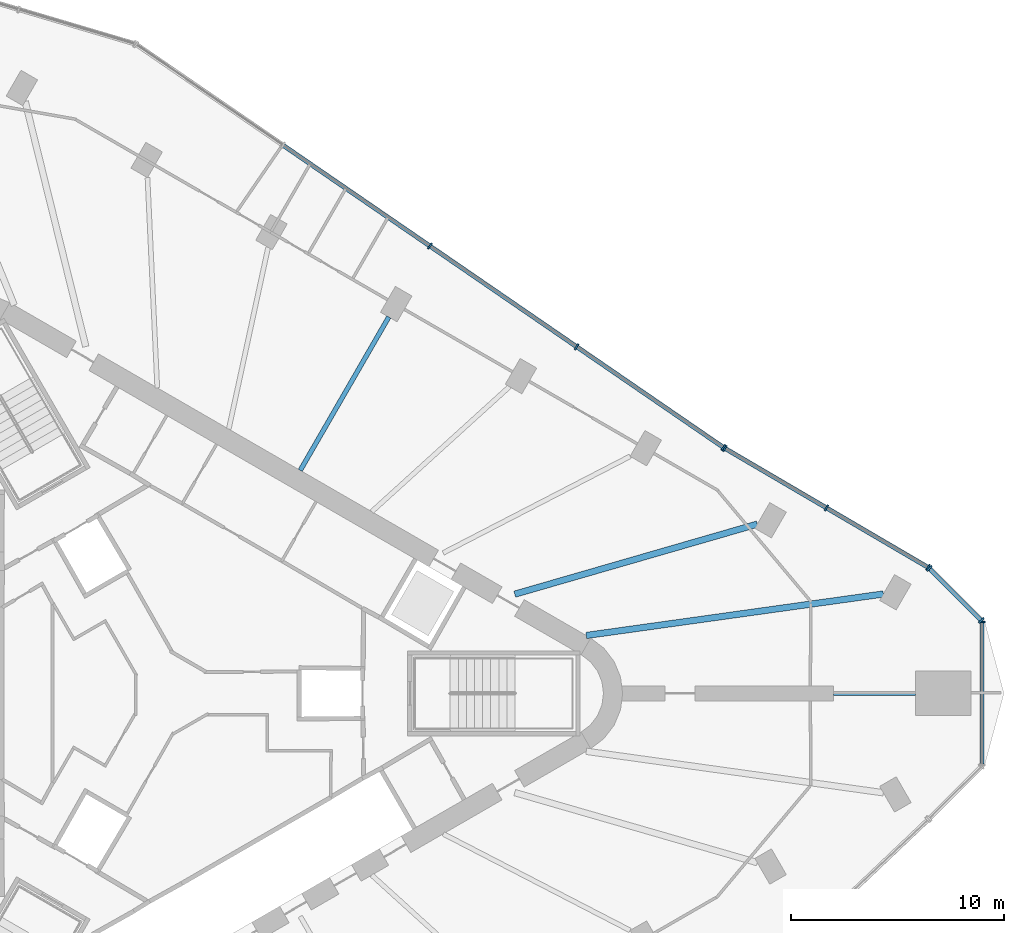
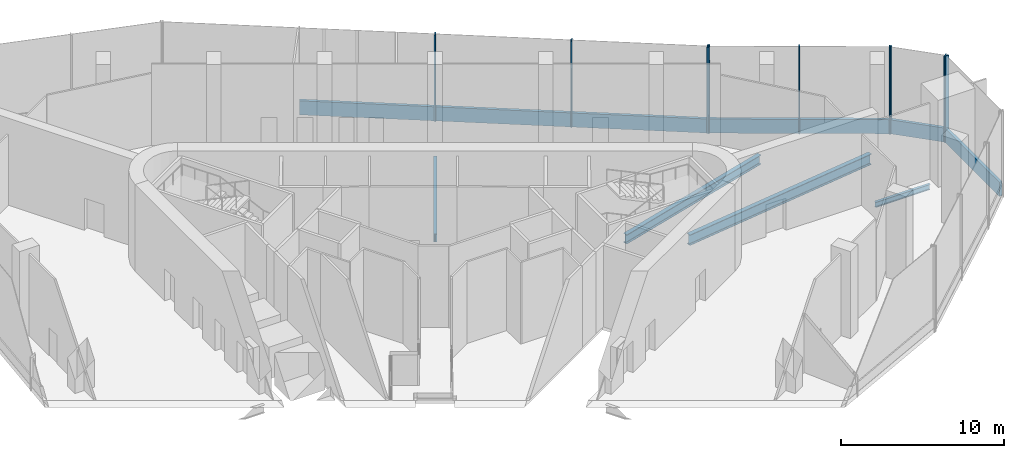
# One storey, part 5 of 15: 16 members, 4 beams, 4 elements without a shape of their own.
"""IFC4 building model written with IfcOpenShell, lengths in metres."""

from ifc_helpers import new_model, si_unit, direction, frame, origin, origin_2d, place, context, subcontext, project, spatial, rectangle, i_section, extrude, material, material_profile, profile_set, type_object, element, aggregate, save


model = new_model("IFC4")

# Units and contexts
model_context = context("Model", 3, precision=1e-05, world=origin(), true_north=direction((0.0, 1.0)))
body_context = subcontext(model_context, "Body", "Model", "MODEL_VIEW")
ifc_project = project(units=[si_unit("LENGTHUNIT", "METRE"), si_unit("AREAUNIT", "SQUARE_METRE"), si_unit("VOLUMEUNIT", "CUBIC_METRE"), si_unit("PLANEANGLEUNIT", "RADIAN"), si_unit("MASSUNIT", "GRAM", prefix="KILO")], contexts=[model_context])

# Site, building, storey
site_placement = place(None, origin())
site = spatial("IfcSite", under=ifc_project, at=site_placement, CompositionType="ELEMENT")
building_placement = place(site_placement, origin())
building = spatial("IfcBuilding", under=site, at=building_placement, Name="Tanit Gate Tower", CompositionType="ELEMENT")
storey_placement = place(building_placement, frame((0.0, 0.0, 277.199951171875)))
storey = spatial("IfcBuildingStorey", under=building, at=storey_placement, Name="L63", CompositionType="ELEMENT", Elevation=277.199951171875)

# Curtain wall, members
ifc_material_1 = material(Name="Aluminium bronze anodised and glass", Category="aluminium")
curtain_wall_type = type_object("IfcCurtainWallType", Name="Curtain wall sky lobby", PredefinedType="NOTDEFINED", material=ifc_material_1)
curtain_wall_1_placement = place(storey_placement, origin())
curtain_wall_1 = element("IfcCurtainWall", 1, at=curtain_wall_1_placement, inside=storey, type_object=curtain_wall_type, Name="Curtain wall L63 NE1", PredefinedType="NOTDEFINED")
ifc_material_2 = material(Name="Aluminium bronze anodised", Category="aluminium")
ifc_material_profile_1 = material_profile(ifc_material_2, rectangle(XDim=0.320068359375, YDim=0.080078125, at=origin_2d()), Name="80x320 bronze mullion")
ifc_profile_set_1 = profile_set([ifc_material_profile_1], Name="Aluminium bronze anodised")
member_type_1 = type_object("IfcMemberType", Name="Mullion 80x320 sky lobby", PredefinedType="MULLION", material=ifc_profile_set_1)
member_1_placement = place(storey_placement, frame((35.550537109375, 5.919677734375, -0.349853515625), z_axis=(0.0, 0.0, 1.0), x_axis=(-0.505509563386, -0.862821001903, 0.0)))
member_1 = element("IfcMember", 2, at=member_1_placement, type_object=member_type_1, Name="Mullion L63 NE1.1", PredefinedType="MULLION", context=body_context, shape_type="SweptSolid", body=[
    extrude(rectangle(XDim=0.320068359375, YDim=0.080078125, at=origin_2d()), origin(), (0.0, 0.0, 1.0), 6.449951171875),
])
member_2_placement = place(storey_placement, frame((30.77783203125, 8.7158203125, -0.349853515625), z_axis=(0.0, 0.0, 1.0), x_axis=(-0.505509563386, -0.862821001903, 0.0)))
member_2 = element("IfcMember", 3, at=member_2_placement, type_object=member_type_1, Name="Mullion L63 NE1.2", PredefinedType="MULLION", context=body_context, shape_type="SweptSolid", body=[
    extrude(rectangle(XDim=0.320068359375, YDim=0.080078125, at=origin_2d()), origin(), (0.0, 0.0, 1.0), 6.449951171875),
])
member_3_placement = place(storey_placement, frame((26.00537109375, 11.511962890625, -0.349853515625), z_axis=(0.0, 0.0, 1.0), x_axis=(-0.505509563386, -0.862821001903, 0.0)))
member_3 = element("IfcMember", 4, at=member_3_placement, type_object=member_type_1, Name="Mullion L63 NE1.3", PredefinedType="MULLION", context=body_context, shape_type="SweptSolid", body=[
    extrude(rectangle(XDim=0.320068359375, YDim=0.080078125, at=origin_2d()), origin(), (0.0, 0.0, 1.0), 6.449951171875),
])

curtain_wall_2_placement = place(storey_placement, origin())
curtain_wall_2 = element("IfcCurtainWall", 5, at=curtain_wall_2_placement, inside=storey, type_object=curtain_wall_type, Name="Curtain wall L63 NE2", PredefinedType="NOTDEFINED")
member_4_placement = place(storey_placement, frame((25.937744140625, 11.5546875, -0.349853515625), z_axis=(0.0, 0.0, 1.0), x_axis=(-0.565779513784, -0.824556572821, 0.0)))
member_4 = element("IfcMember", 6, at=member_4_placement, type_object=member_type_1, Name="Mullion L63 NE2.1", PredefinedType="MULLION", context=body_context, shape_type="SweptSolid", body=[
    extrude(rectangle(XDim=0.320068359375, YDim=0.080078125, at=origin_2d()), origin(), (0.0, 0.0, 1.0), 6.449951171875),
])
member_5_placement = place(storey_placement, frame((19.038818359375, 16.28857421875, -0.349853515625), z_axis=(0.0, 0.0, 1.0), x_axis=(-0.565779513784, -0.824556572821, 0.0)))
member_5 = element("IfcMember", 7, at=member_5_placement, type_object=member_type_1, Name="Mullion L63 NE2.2", PredefinedType="MULLION", context=body_context, shape_type="SweptSolid", body=[
    extrude(rectangle(XDim=0.320068359375, YDim=0.080078125, at=origin_2d()), origin(), (0.0, 0.0, 1.0), 6.449951171875),
])
member_6_placement = place(storey_placement, frame((12.139892578125, 21.0224609375, -0.349853515625), z_axis=(0.0, 0.0, 1.0), x_axis=(-0.565779513784, -0.824556572821, 0.0)))
member_6 = element("IfcMember", 8, at=member_6_placement, type_object=member_type_1, Name="Mullion L63 NE2.3", PredefinedType="MULLION", context=body_context, shape_type="SweptSolid", body=[
    extrude(rectangle(XDim=0.320068359375, YDim=0.080078125, at=origin_2d()), origin(), (0.0, 0.0, 1.0), 6.449951171875),
])

# Curtain wall, member
curtain_wall_3_placement = place(storey_placement, origin())
curtain_wall_3 = element("IfcCurtainWall", 9, at=curtain_wall_3_placement, inside=storey, type_object=curtain_wall_type, Name="Curtain wall L63 E.arc2", PredefinedType="NOTDEFINED")
member_7_placement = place(storey_placement, frame((38.085205078125, 3.359130859375, -0.349853515625), z_axis=(0.0, 0.0, 1.0), x_axis=(-1.0, 0.0, 0.0)))
member_7 = element("IfcMember", 10, at=member_7_placement, type_object=member_type_1, Name="Mullion L63 E.arc2.2", PredefinedType="MULLION", context=body_context, shape_type="SweptSolid", body=[
    extrude(rectangle(XDim=0.320068359375, YDim=0.080078125, at=origin_2d()), origin(), (0.0, 0.0, 1.0), 6.449951171875),
])

# Curtain wall, members
curtain_wall_4_placement = place(storey_placement, origin())
curtain_wall_4 = element("IfcCurtainWall", 11, at=curtain_wall_4_placement, inside=storey, type_object=curtain_wall_type, Name="Curtain wall L63 E.arc3", PredefinedType="NOTDEFINED")
member_8_placement = place(storey_placement, frame((38.056884765625, 3.427490234375, -0.349853515625), z_axis=(0.0, 0.0, 1.0), x_axis=(-0.707106781187, -0.707106781187, 0.0)))
member_8 = element("IfcMember", 12, at=member_8_placement, type_object=member_type_1, Name="Mullion L63 E.arc3.1", PredefinedType="MULLION", context=body_context, shape_type="SweptSolid", body=[
    extrude(rectangle(XDim=0.320068359375, YDim=0.080078125, at=origin_2d()), origin(), (0.0, 0.0, 1.0), 6.449951171875),
])
member_9_placement = place(storey_placement, frame((35.61328125, 5.87109375, -0.349853515625), z_axis=(0.0, 0.0, 1.0), x_axis=(-0.707106781187, -0.707106781187, 0.0)))
member_9 = element("IfcMember", 13, at=member_9_placement, type_object=member_type_1, Name="Mullion L63 E.arc3.2", PredefinedType="MULLION", context=body_context, shape_type="SweptSolid", body=[
    extrude(rectangle(XDim=0.320068359375, YDim=0.080078125, at=origin_2d()), origin(), (0.0, 0.0, 1.0), 6.449951171875),
])

# Beams
ifc_material_3 = material(Name="Steel S355", Category="steel")
ifc_material_profile_2 = material_profile(ifc_material_3, i_section(OverallWidth=0.300048828125, OverallDepth=0.68994140625, WebThickness=0.014404296875, FlangeThickness=0.027099609375, FilletRadius=0.027099609375, at=origin_2d()), Name="HEA 700")
ifc_profile_set_2 = profile_set([ifc_material_profile_2], Name="Steel S355")
beam_type_1 = type_object("IfcBeamType", Name="RADIAL GIRDER HEA 700 S355", PredefinedType="BEAM", material=ifc_profile_set_2)
beam_1_placement = place(storey_placement, frame((27.528564453125, 7.955078125, -0.695068359375), z_axis=(-0.960692598628, -0.277614356511, 0.0), x_axis=(0.277614356511, -0.960692598628, 0.0)))
element("IfcBeam", 14, at=beam_1_placement, inside=storey, type_object=beam_type_1, Name="RADIAL GIRDER", PredefinedType="BEAM", context=body_context, shape_type="SweptSolid", body=[
    extrude(i_section(OverallWidth=0.300048828125, OverallDepth=0.68994140625, WebThickness=0.014404296875, FlangeThickness=0.027099609375, FilletRadius=0.027099609375, at=origin_2d()), origin(), (0.0, 0.0, 1.0), 11.8642578125),
])
ifc_material_4 = material(Name="Steel S355", Category="steel")
ifc_material_profile_3 = material_profile(ifc_material_4, i_section(OverallWidth=0.300048828125, OverallDepth=0.7900390625, WebThickness=0.014892578125, FlangeThickness=0.028076171875, FilletRadius=0.030029296875, at=origin_2d()), Name="HEA 800")
ifc_profile_set_3 = profile_set([ifc_material_profile_3], Name="Steel S355")
beam_type_2 = type_object("IfcBeamType", Name="RADIAL GIRDER HEA 800 S355", PredefinedType="BEAM", material=ifc_profile_set_3)
beam_2_placement = place(storey_placement, frame((33.450927734375, 4.6708984375, -0.744873046875), z_axis=(-0.990390390759, -0.138299941769, 0.0), x_axis=(0.138299941769, -0.990390390759, 0.0)))
element("IfcBeam", 15, at=beam_2_placement, inside=storey, type_object=beam_type_2, Name="RADIAL GIRDER", PredefinedType="BEAM", context=body_context, shape_type="SweptSolid", body=[
    extrude(i_section(OverallWidth=0.300048828125, OverallDepth=0.7900390625, WebThickness=0.014892578125, FlangeThickness=0.028076171875, FilletRadius=0.030029296875, at=origin_2d()), origin(), (0.0, 0.0, 1.0), 14.095947265625),
])
ifc_material_5 = material(Name="Steel S355", Category="steel")
ifc_material_profile_4 = material_profile(ifc_material_5, i_section(OverallWidth=0.179931640625, OverallDepth=0.39990234375, WebThickness=0.008544921875, FlangeThickness=0.013427734375, FilletRadius=0.02099609375, at=origin_2d()), Name="IPE 400")
ifc_profile_set_4 = profile_set([ifc_material_profile_4], Name="Steel S355")
beam_type_3 = type_object("IfcBeamType", Name="RADIAL GIRDER IPE 400 S355", PredefinedType="BEAM", material=ifc_profile_set_4)
beam_3_placement = place(storey_placement, frame((34.97021484375, 0.0, -0.550048828125), z_axis=(-1.0, 0.0, 0.0), x_axis=(0.0, -1.0, 0.0)))
element("IfcBeam", 16, at=beam_3_placement, inside=storey, type_object=beam_type_3, Name="RADIAL GIRDER", PredefinedType="BEAM", context=body_context, shape_type="SweptSolid", body=[
    extrude(i_section(OverallWidth=0.179931640625, OverallDepth=0.39990234375, WebThickness=0.008544921875, FlangeThickness=0.013427734375, FilletRadius=0.02099609375, at=origin_2d()), origin(), (0.0, 0.0, 1.0), 3.855712890625),
])
ifc_material_6 = material(Name="Steel S355", Category="steel")
ifc_material_profile_5 = material_profile(ifc_material_6, i_section(OverallWidth=0.219970703125, OverallDepth=0.60009765625, WebThickness=0.011962890625, FlangeThickness=0.01904296875, FilletRadius=0.02392578125, at=origin_2d()), Name="IPE 600")
ifc_profile_set_5 = profile_set([ifc_material_profile_5], Name="Steel S355")
beam_type_4 = type_object("IfcBeamType", Name="RADIAL GIRDER IPE 600 S355", PredefinedType="BEAM", material=ifc_profile_set_5)
beam_4_placement = place(storey_placement, frame((10.210693359375, 17.685546875, -0.64990234375), z_axis=(-0.499995954789, -0.866027739276, 0.0), x_axis=(0.866027739276, -0.499995954789, 0.0)))
element("IfcBeam", 17, at=beam_4_placement, inside=storey, type_object=beam_type_4, Name="RADIAL GIRDER", PredefinedType="BEAM", context=body_context, shape_type="SweptSolid", body=[
    extrude(i_section(OverallWidth=0.219970703125, OverallDepth=0.60009765625, WebThickness=0.011962890625, FlangeThickness=0.01904296875, FilletRadius=0.02392578125, at=origin_2d()), origin(), (0.0, 0.0, 1.0), 8.3193359375),
])

# Member
ifc_material_7 = material(Name="Aluminium bronze anodised", Category="aluminium")
ifc_material_profile_6 = material_profile(ifc_material_7, rectangle(XDim=0.199951171875, YDim=1.050048828125, at=origin_2d()), Name="200x1050 bronze transom")
ifc_profile_set_6 = profile_set([ifc_material_profile_6], Name="Aluminium bronze anodised")
member_type_2 = type_object("IfcMemberType", Name="Transom 200x1050 sky lobby", PredefinedType="USERDEFINED", material=ifc_profile_set_6)
member_10_placement = place(storey_placement, frame((35.515869140625, 5.93994140625, 0.175048828125), z_axis=(-0.86282057378, 0.505510294121, 0.0), x_axis=(-0.505510294121, -0.86282057378, 0.0)))
member_10 = element("IfcMember", 18, at=member_10_placement, type_object=member_type_2, Name="Transom L63 NE1.1", ObjectType="TRANSOM", PredefinedType="USERDEFINED", context=body_context, shape_type="SweptSolid", body=[
    extrude(rectangle(XDim=0.199951171875, YDim=1.050048828125, at=origin_2d()), origin(), (0.0, 0.0, 1.0), 5.451171875),
])

member_11_placement = place(storey_placement, frame((30.743408203125, 8.736083984375, 0.175048828125), z_axis=(-0.862832018003, 0.505490760261, 0.0), x_axis=(-0.505490760261, -0.862832018003, 0.0)))
member_11 = element("IfcMember", 19, at=member_11_placement, type_object=member_type_2, Name="Transom L63 NE1.2", ObjectType="TRANSOM", PredefinedType="USERDEFINED", context=body_context, shape_type="SweptSolid", body=[
    extrude(rectangle(XDim=0.199951171875, YDim=1.050048828125, at=origin_2d()), origin(), (0.0, 0.0, 1.0), 5.451416015625),
])

aggregate(curtain_wall_1, [member_1, member_2, member_3, member_10, member_11])

member_12_placement = place(storey_placement, frame((25.90478515625, 11.577392578125, 0.175048828125), z_axis=(-0.824560783398, 0.565773377318, 0.0), x_axis=(-0.565773377318, -0.824560783398, 0.0)))
member_12 = element("IfcMember", 20, at=member_12_placement, type_object=member_type_2, Name="Transom L63 NE2.1", ObjectType="TRANSOM", PredefinedType="USERDEFINED", context=body_context, shape_type="SweptSolid", body=[
    extrude(rectangle(XDim=0.199951171875, YDim=1.050048828125, at=origin_2d()), origin(), (0.0, 0.0, 1.0), 8.286865234375),
])

member_13_placement = place(storey_placement, frame((19.005859375, 16.311279296875, 0.175048828125), z_axis=(-0.824560783398, 0.565773377318, 0.0), x_axis=(-0.565773377318, -0.824560783398, 0.0)))
member_13 = element("IfcMember", 21, at=member_13_placement, type_object=member_type_2, Name="Transom L63 NE2.2", ObjectType="TRANSOM", PredefinedType="USERDEFINED", context=body_context, shape_type="SweptSolid", body=[
    extrude(rectangle(XDim=0.199951171875, YDim=1.050048828125, at=origin_2d()), origin(), (0.0, 0.0, 1.0), 8.286865234375),
])

member_14_placement = place(storey_placement, frame((12.10693359375, 21.044921875, 0.175048828125), z_axis=(-0.824547039294, 0.565793407519, 0.0), x_axis=(-0.565793407519, -0.824547039294, 0.0)))
member_14 = element("IfcMember", 22, at=member_14_placement, type_object=member_type_2, Name="Transom L63 NE2.3", ObjectType="TRANSOM", PredefinedType="USERDEFINED", context=body_context, shape_type="SweptSolid", body=[
    extrude(rectangle(XDim=0.199951171875, YDim=1.050048828125, at=origin_2d()), origin(), (0.0, 0.0, 1.0), 8.286865234375),
])

aggregate(curtain_wall_2, [member_4, member_5, member_6, member_12, member_13, member_14])

member_15_placement = place(storey_placement, frame((38.085205078125, -3.319091796875, 0.175048828125), z_axis=(0.0, 1.0, 0.0), x_axis=(-1.0, 0.0, 0.0)))
member_15 = element("IfcMember", 23, at=member_15_placement, type_object=member_type_2, Name="Transom L63 E.arc2.1", ObjectType="TRANSOM", PredefinedType="USERDEFINED", context=body_context, shape_type="SweptSolid", body=[
    extrude(rectangle(XDim=0.199951171875, YDim=1.050048828125, at=origin_2d()), origin(), (0.0, 0.0, 1.0), 6.63818359375),
])

aggregate(curtain_wall_3, [member_7, member_15])

member_16_placement = place(storey_placement, frame((38.028564453125, 3.455810546875, 0.175048828125), z_axis=(-0.707142940159, 0.707070620365, 0.0), x_axis=(-0.707070620365, -0.707142940159, 0.0)))
member_16 = element("IfcMember", 24, at=member_16_placement, type_object=member_type_2, Name="Transom L63 E.arc3.1", ObjectType="TRANSOM", PredefinedType="USERDEFINED", context=body_context, shape_type="SweptSolid", body=[
    extrude(rectangle(XDim=0.199951171875, YDim=1.050048828125, at=origin_2d()), origin(), (0.0, 0.0, 1.0), 3.375732421875),
])

aggregate(curtain_wall_4, [member_8, member_9, member_16])

save(model, "model.ifc")
